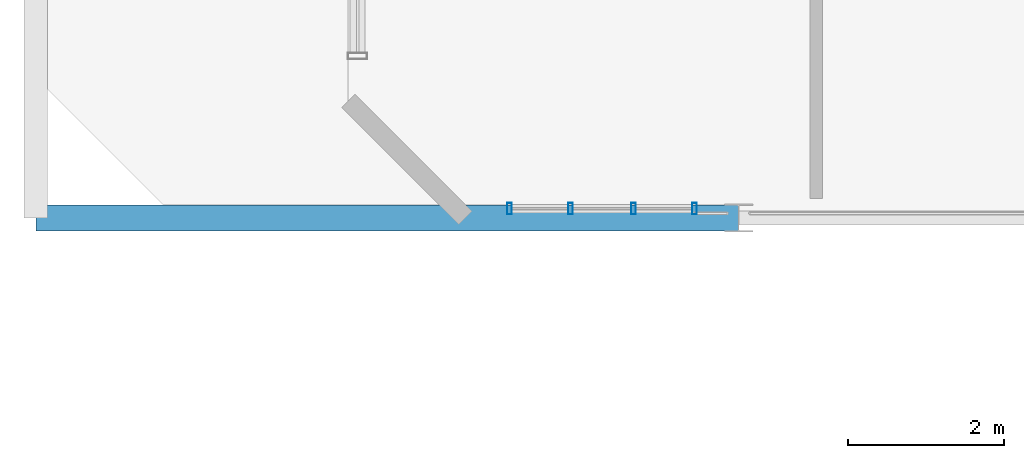
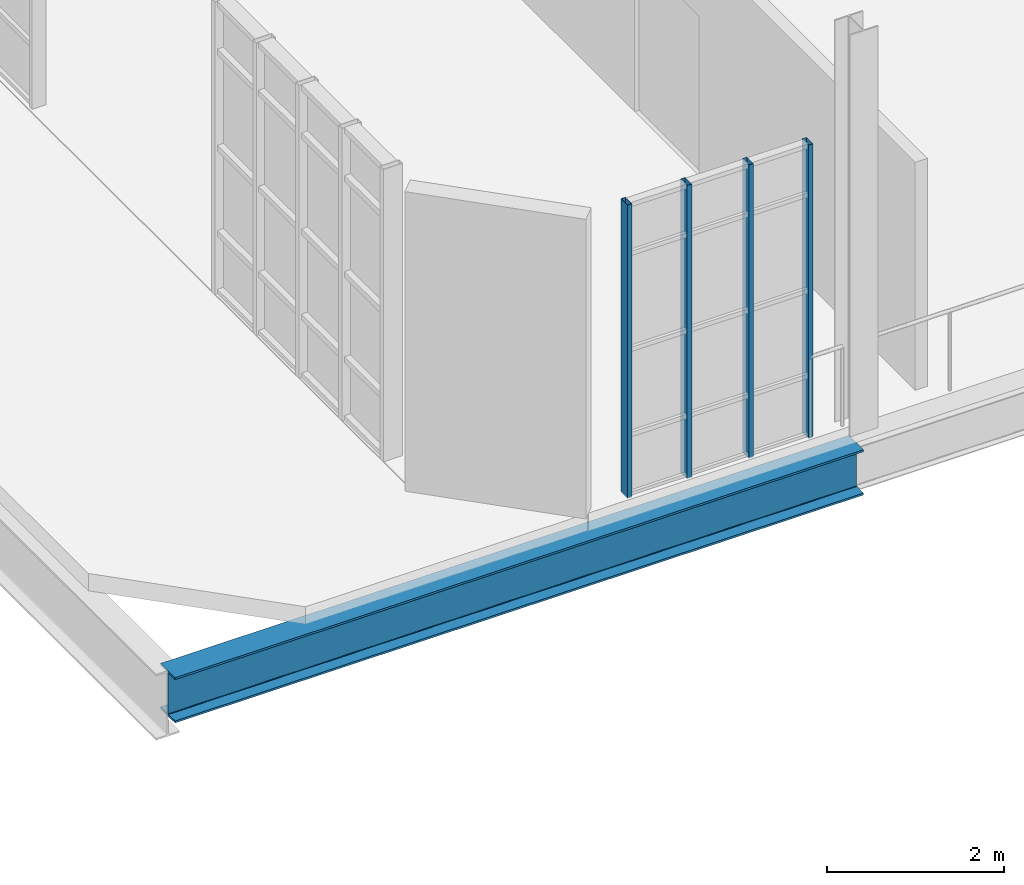
# One storey, part 11 of 36: 4 members, 1 beam, 1 element without a shape of its own.
"""IFC4 building model written with IfcOpenShell, lengths in metres."""

from ifc_helpers import new_model, si_unit, direction, frame, origin, origin_2d, place, context, subcontext, project, spatial, hollow_rectangle, i_section, extrude, material, layer, layer_set, material_profile, profile_set, type_object, element, aggregate, save


model = new_model("IFC4")

# Units and contexts
model_context = context("Model", 3, precision=1e-05, world=origin(), true_north=direction((0.0, 1.0)))
body_context = subcontext(model_context, "Body", "Model", "MODEL_VIEW")
ifc_project = project(units=[si_unit("LENGTHUNIT", "METRE"), si_unit("AREAUNIT", "SQUARE_METRE"), si_unit("VOLUMEUNIT", "CUBIC_METRE"), si_unit("PLANEANGLEUNIT", "RADIAN"), si_unit("MASSUNIT", "GRAM", prefix="KILO"), si_unit("THERMODYNAMICTEMPERATUREUNIT", "KELVIN"), si_unit("POWERUNIT", "WATT")], contexts=[model_context])

# Site, building, storey
site_placement = place(None, origin())
site = spatial("IfcSite", under=ifc_project, at=site_placement, CompositionType="ELEMENT")
building_placement = place(site_placement, origin())
building = spatial("IfcBuilding", under=site, at=building_placement, Name="Zelmaris Science Centre", CompositionType="ELEMENT")
storey_placement = place(building_placement, frame((0.0, 0.0, 25.199951171875)))
storey = spatial("IfcBuildingStorey", under=building, at=storey_placement, Name="L05", CompositionType="ELEMENT", Elevation=25.199951171875)

# Curtain wall, members
ifc_material_1 = material(Name="Anodised architectural aluminium 6063-T6", Category="aluminium")
ifc_layer = layer(ifc_material_1, 0.219970703125, Name="Anodised architectural aluminium 6063-T6")
ifc_layer_set = layer_set([ifc_layer], Name="Anodised architectural aluminium 6063-T6")
curtain_wall_type = type_object("IfcCurtainWallType", Name="Curtain Wall CW-04", PredefinedType="USERDEFINED", material=ifc_layer_set)
curtain_wall_placement = place(storey_placement, origin())
curtain_wall = element("IfcCurtainWall", 1, at=curtain_wall_placement, inside=storey, type_object=curtain_wall_type, Name="L05 Unitised curtain wall 376", ObjectType="GLAZED CURTAIN WALL", PredefinedType="USERDEFINED")
ifc_material_profile_1 = material_profile(ifc_material_1, hollow_rectangle(XDim=0.06005859375, YDim=0.14990234375, WallThickness=0.00341796875, at=origin_2d()), Name="ALU-MUL-60X150")
ifc_profile_set_1 = profile_set([ifc_material_profile_1], Name="Anodised architectural aluminium 6063-T6")
member_type = type_object("IfcMemberType", Name="ALU-MUL-60X150", PredefinedType="MULLION", material=ifc_profile_set_1)
member_1_placement = place(storey_placement, frame((62.43408203125, 64.1201171875, -0.014892578125), z_axis=(0.0, 0.0, 1.0), x_axis=(-0.999999999986, 5.235988e-06, 0.0)))
member_1 = element("IfcMember", 2, at=member_1_placement, type_object=member_type, Name="CW-04 mullion 1", PredefinedType="MULLION", context=body_context, shape_type="SweptSolid", body=[
    extrude(hollow_rectangle(XDim=0.06005859375, YDim=0.14990234375, WallThickness=0.00341796875, at=origin_2d()), origin(), (0.0, 0.0, 1.0), 4.054931640625),
])
member_2_placement = place(storey_placement, frame((61.6533203125, 64.1201171875, -0.014892578125), z_axis=(0.0, 0.0, 1.0), x_axis=(-0.999999999986, 5.235988e-06, 0.0)))
member_2 = element("IfcMember", 3, at=member_2_placement, type_object=member_type, Name="CW-04 mullion 2", PredefinedType="MULLION", context=body_context, shape_type="SweptSolid", body=[
    extrude(hollow_rectangle(XDim=0.06005859375, YDim=0.14990234375, WallThickness=0.00341796875, at=origin_2d()), origin(), (0.0, 0.0, 1.0), 4.054931640625),
])
member_3_placement = place(storey_placement, frame((60.8466796875, 64.1201171875, -0.014892578125), z_axis=(0.0, 0.0, 1.0), x_axis=(-0.999999999986, 5.235988e-06, 0.0)))
member_3 = element("IfcMember", 4, at=member_3_placement, type_object=member_type, Name="CW-04 mullion 3", PredefinedType="MULLION", context=body_context, shape_type="SweptSolid", body=[
    extrude(hollow_rectangle(XDim=0.06005859375, YDim=0.14990234375, WallThickness=0.00341796875, at=origin_2d()), origin(), (0.0, 0.0, 1.0), 4.054931640625),
])
member_4_placement = place(storey_placement, frame((60.06591796875, 64.1201171875, -0.014892578125), z_axis=(0.0, 0.0, 1.0), x_axis=(-0.999999999986, 5.235988e-06, 0.0)))
member_4 = element("IfcMember", 5, at=member_4_placement, type_object=member_type, Name="CW-04 mullion 4", PredefinedType="MULLION", context=body_context, shape_type="SweptSolid", body=[
    extrude(hollow_rectangle(XDim=0.06005859375, YDim=0.14990234375, WallThickness=0.00341796875, at=origin_2d()), origin(), (0.0, 0.0, 1.0), 4.054931640625),
])
aggregate(curtain_wall, [member_1, member_2, member_3, member_4])

# Beam
ifc_material_2 = material(Name="Steel ASTM A992 Grade 50", Category="steel")
ifc_material_profile_2 = material_profile(ifc_material_2, i_section(OverallWidth=0.327880859375, OverallDepth=0.626953125, WebThickness=0.0166015625, FlangeThickness=0.027587890625, FilletRadius=0.014892578125, at=origin_2d()), Name="W24X146")
ifc_profile_set_2 = profile_set([ifc_material_profile_2], Name="Steel ASTM A992 Grade 50")
beam_type = type_object("IfcBeamType", Name="Beam G-37 W24X146", PredefinedType="BEAM", material=ifc_profile_set_2)
beam_placement = place(storey_placement, frame((54.0, 64.0, -0.5634765625), z_axis=(1.0, 0.0, 0.0), x_axis=(0.0, 1.0, 0.0)))
element("IfcBeam", 6, at=beam_placement, inside=storey, type_object=beam_type, Name="L05 East-west girder 925", PredefinedType="BEAM", context=body_context, shape_type="SweptSolid", body=[
    extrude(i_section(OverallWidth=0.327880859375, OverallDepth=0.626953125, WebThickness=0.0166015625, FlangeThickness=0.027587890625, FilletRadius=0.014892578125, at=origin_2d()), origin(), (0.0, 0.0, 1.0), 9.0),
])

save(model, "model.ifc")
